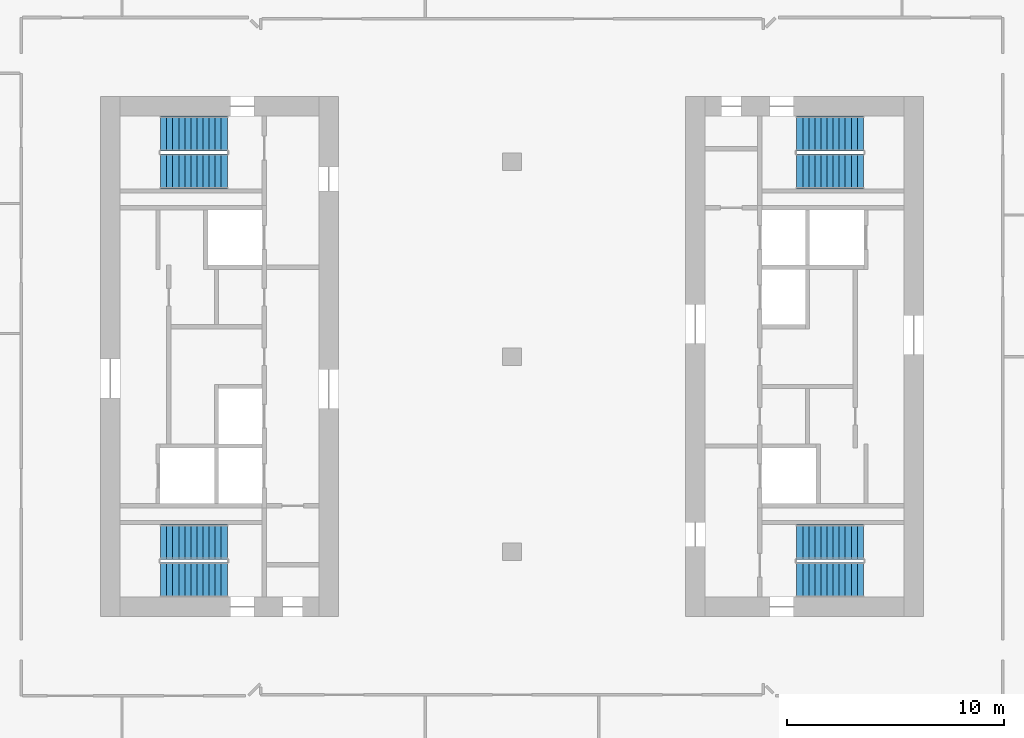
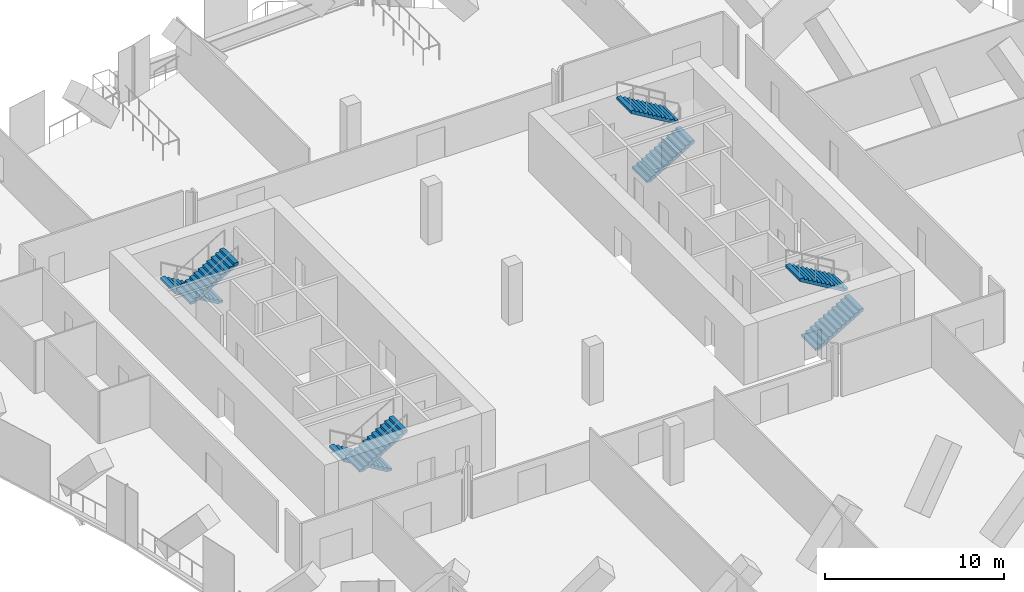
# One storey, part 21 of 26: 8 stair flights, 4 elements without a shape of their own.
"""IFC4 building model written with IfcOpenShell, lengths in metres."""

from ifc_helpers import new_model, si_unit, direction, frame, origin, place, context, subcontext, project, spatial, polyline, outline, extrude, material, type_object, element, aggregate, save


model = new_model("IFC4")

# Units and contexts
model_context = context("Model", 3, precision=1e-05, world=origin(), true_north=direction((0.0, 1.0)))
body_context = subcontext(model_context, "Body", "Model", "MODEL_VIEW")
ifc_project = project(units=[si_unit("LENGTHUNIT", "METRE"), si_unit("AREAUNIT", "SQUARE_METRE"), si_unit("VOLUMEUNIT", "CUBIC_METRE"), si_unit("PLANEANGLEUNIT", "RADIAN"), si_unit("MASSUNIT", "GRAM", prefix="KILO")], contexts=[model_context])

# Site, building, storey
site_placement = place(None, origin())
site = spatial("IfcSite", under=ifc_project, at=site_placement, CompositionType="ELEMENT")
building_placement = place(site_placement, origin())
building = spatial("IfcBuilding", under=site, at=building_placement, Name="Orlundy Tower", CompositionType="ELEMENT")
storey_placement = place(building_placement, frame((0.0, 0.0, 249.5)))
storey = spatial("IfcBuildingStorey", under=building, at=storey_placement, Name="L66", CompositionType="ELEMENT", Elevation=249.5)

# Stair, stair flights
ifc_material_1 = material(Name="Concrete C50/60", Category="concrete")
stair_type = type_object("IfcStairType", Name="Exit Stair 24 risers", PredefinedType="HALF_TURN_STAIR", material=ifc_material_1)
stair_1_placement = place(storey_placement, origin())
stair_1 = element("IfcStair", 1, at=stair_1_placement, inside=storey, type_object=stair_type, Name="L66 Exit Stair ST-W1", PredefinedType="HALF_TURN_STAIR")
ifc_material_2 = material(Name="Concrete C50/60", Category="concrete")
stair_flight_type = type_object("IfcStairFlightType", Name="Stair Flight 12 risers", PredefinedType="STRAIGHT", material=ifc_material_2)
stair_flight_1_placement = place(storey_placement, frame((-13.139892578125, 10.300048828125, 0.0), z_axis=(0.0, 0.0, 1.0), x_axis=(-1.0, 0.0, 0.0)))
stair_flight_1 = element("IfcStairFlight", 2, at=stair_flight_1_placement, type_object=stair_flight_type, Name="ST-W1 flight 1", NumberOfRisers=12, NumberOfTreads=11, PredefinedType="STRAIGHT", RiserHeight=0.166666667, TreadLength=0.28, context=body_context, shape_type="SweptSolid", body=[
    extrude(outline(polyline([(0.0, 0.0), (0.0, 0.166748046875), (0.280029296875, 0.166748046875), (0.280029296875, 0.333251953125), (0.56005859375, 0.333251953125), (0.56005859375, 0.5), (0.840087890625, 0.5), (0.840087890625, 0.666748046875), (1.1201171875, 0.666748046875), (1.1201171875, 0.833251953125), (1.39990234375, 0.833251953125), (1.39990234375, 1.0), (1.679931640625, 1.0), (1.679931640625, 1.166748046875), (1.9599609375, 1.166748046875), (1.9599609375, 1.333251953125), (2.239990234375, 1.333251953125), (2.239990234375, 1.5), (2.52001953125, 1.5), (2.52001953125, 1.666748046875), (2.800048828125, 1.666748046875), (2.800048828125, 1.833251953125), (3.080078125, 1.833251953125), (3.080078125, 2.0), (3.080078125, 1.658935546875), (0.29296875, 0.0), (0.0, 0.0)])), frame((0.0, 0.800048828125, 0.0), z_axis=(0.0, -1.0, 0.0), x_axis=(1.0, 0.0, 0.0)), (0.0, 0.0, 1.0), 1.60009765625),
])
stair_flight_2_placement = place(storey_placement, frame((-16.219970703125, 8.550048828125, 2.0), z_axis=(0.0, 0.0, 1.0), x_axis=(1.0, 0.0, 0.0)))
stair_flight_2 = element("IfcStairFlight", 3, at=stair_flight_2_placement, type_object=stair_flight_type, Name="ST-W1 flight 2", NumberOfRisers=12, NumberOfTreads=11, PredefinedType="STRAIGHT", RiserHeight=0.166666667, TreadLength=0.28, context=body_context, shape_type="SweptSolid", body=[
    extrude(outline(polyline([(0.0, 0.0), (0.0, 0.166748046875), (0.280029296875, 0.166748046875), (0.280029296875, 0.333251953125), (0.56005859375, 0.333251953125), (0.56005859375, 0.5), (0.840087890625, 0.5), (0.840087890625, 0.666748046875), (1.1201171875, 0.666748046875), (1.1201171875, 0.833251953125), (1.39990234375, 0.833251953125), (1.39990234375, 1.0), (1.679931640625, 1.0), (1.679931640625, 1.166748046875), (1.9599609375, 1.166748046875), (1.9599609375, 1.333251953125), (2.239990234375, 1.333251953125), (2.239990234375, 1.5), (2.52001953125, 1.5), (2.52001953125, 1.666748046875), (2.800048828125, 1.666748046875), (2.800048828125, 1.833251953125), (3.080078125, 1.833251953125), (3.080078125, 2.0), (3.080078125, 1.658935546875), (0.29296875, 0.0), (0.0, 0.0)])), frame((0.0, 0.800048828125, 0.0), z_axis=(0.0, -1.0, 0.0), x_axis=(1.0, 0.0, 0.0)), (0.0, 0.0, 1.0), 1.60009765625),
])
aggregate(stair_1, [stair_flight_1, stair_flight_2])

stair_2_placement = place(storey_placement, origin())
stair_2 = element("IfcStair", 4, at=stair_2_placement, inside=storey, type_object=stair_type, Name="L66 Exit Stair ST-W2", PredefinedType="HALF_TURN_STAIR")
stair_flight_3_placement = place(storey_placement, frame((-13.139892578125, -8.550048828125, 0.0), z_axis=(0.0, 0.0, 1.0), x_axis=(-1.0, 0.0, 0.0)))
stair_flight_3 = element("IfcStairFlight", 5, at=stair_flight_3_placement, type_object=stair_flight_type, Name="ST-W2 flight 1", NumberOfRisers=12, NumberOfTreads=11, PredefinedType="STRAIGHT", RiserHeight=0.166666667, TreadLength=0.28, context=body_context, shape_type="SweptSolid", body=[
    extrude(outline(polyline([(0.0, 0.0), (0.0, 0.166748046875), (0.280029296875, 0.166748046875), (0.280029296875, 0.333251953125), (0.56005859375, 0.333251953125), (0.56005859375, 0.5), (0.840087890625, 0.5), (0.840087890625, 0.666748046875), (1.1201171875, 0.666748046875), (1.1201171875, 0.833251953125), (1.39990234375, 0.833251953125), (1.39990234375, 1.0), (1.679931640625, 1.0), (1.679931640625, 1.166748046875), (1.9599609375, 1.166748046875), (1.9599609375, 1.333251953125), (2.239990234375, 1.333251953125), (2.239990234375, 1.5), (2.52001953125, 1.5), (2.52001953125, 1.666748046875), (2.800048828125, 1.666748046875), (2.800048828125, 1.833251953125), (3.080078125, 1.833251953125), (3.080078125, 2.0), (3.080078125, 1.658935546875), (0.29296875, 0.0), (0.0, 0.0)])), frame((0.0, 0.800048828125, 0.0), z_axis=(0.0, -1.0, 0.0), x_axis=(1.0, 0.0, 0.0)), (0.0, 0.0, 1.0), 1.60009765625),
])
stair_flight_4_placement = place(storey_placement, frame((-16.219970703125, -10.300048828125, 2.0), z_axis=(0.0, 0.0, 1.0), x_axis=(1.0, 0.0, 0.0)))
stair_flight_4 = element("IfcStairFlight", 6, at=stair_flight_4_placement, type_object=stair_flight_type, Name="ST-W2 flight 2", NumberOfRisers=12, NumberOfTreads=11, PredefinedType="STRAIGHT", RiserHeight=0.166666667, TreadLength=0.28, context=body_context, shape_type="SweptSolid", body=[
    extrude(outline(polyline([(0.0, 0.0), (0.0, 0.166748046875), (0.280029296875, 0.166748046875), (0.280029296875, 0.333251953125), (0.56005859375, 0.333251953125), (0.56005859375, 0.5), (0.840087890625, 0.5), (0.840087890625, 0.666748046875), (1.1201171875, 0.666748046875), (1.1201171875, 0.833251953125), (1.39990234375, 0.833251953125), (1.39990234375, 1.0), (1.679931640625, 1.0), (1.679931640625, 1.166748046875), (1.9599609375, 1.166748046875), (1.9599609375, 1.333251953125), (2.239990234375, 1.333251953125), (2.239990234375, 1.5), (2.52001953125, 1.5), (2.52001953125, 1.666748046875), (2.800048828125, 1.666748046875), (2.800048828125, 1.833251953125), (3.080078125, 1.833251953125), (3.080078125, 2.0), (3.080078125, 1.658935546875), (0.29296875, 0.0), (0.0, 0.0)])), frame((0.0, 0.800048828125, 0.0), z_axis=(0.0, -1.0, 0.0), x_axis=(1.0, 0.0, 0.0)), (0.0, 0.0, 1.0), 1.60009765625),
])
aggregate(stair_2, [stair_flight_3, stair_flight_4])

stair_3_placement = place(storey_placement, origin())
stair_3 = element("IfcStair", 7, at=stair_3_placement, inside=storey, type_object=stair_type, Name="L66 Exit Stair ST-E1", PredefinedType="HALF_TURN_STAIR")
stair_flight_5_placement = place(storey_placement, frame((13.139892578125, -10.300048828125, 0.0), z_axis=(0.0, 0.0, 1.0), x_axis=(1.0, 0.0, 0.0)))
stair_flight_5 = element("IfcStairFlight", 8, at=stair_flight_5_placement, type_object=stair_flight_type, Name="ST-E1 flight 1", NumberOfRisers=12, NumberOfTreads=11, PredefinedType="STRAIGHT", RiserHeight=0.166666667, TreadLength=0.28, context=body_context, shape_type="SweptSolid", body=[
    extrude(outline(polyline([(0.0, 0.0), (0.0, 0.166748046875), (0.280029296875, 0.166748046875), (0.280029296875, 0.333251953125), (0.56005859375, 0.333251953125), (0.56005859375, 0.5), (0.840087890625, 0.5), (0.840087890625, 0.666748046875), (1.1201171875, 0.666748046875), (1.1201171875, 0.833251953125), (1.39990234375, 0.833251953125), (1.39990234375, 1.0), (1.679931640625, 1.0), (1.679931640625, 1.166748046875), (1.9599609375, 1.166748046875), (1.9599609375, 1.333251953125), (2.239990234375, 1.333251953125), (2.239990234375, 1.5), (2.52001953125, 1.5), (2.52001953125, 1.666748046875), (2.800048828125, 1.666748046875), (2.800048828125, 1.833251953125), (3.080078125, 1.833251953125), (3.080078125, 2.0), (3.080078125, 1.658935546875), (0.29296875, 0.0), (0.0, 0.0)])), frame((0.0, 0.800048828125, 0.0), z_axis=(0.0, -1.0, 0.0), x_axis=(1.0, 0.0, 0.0)), (0.0, 0.0, 1.0), 1.60009765625),
])
stair_flight_6_placement = place(storey_placement, frame((16.219970703125, -8.550048828125, 2.0), z_axis=(0.0, 0.0, 1.0), x_axis=(-1.0, 0.0, 0.0)))
stair_flight_6 = element("IfcStairFlight", 9, at=stair_flight_6_placement, type_object=stair_flight_type, Name="ST-E1 flight 2", NumberOfRisers=12, NumberOfTreads=11, PredefinedType="STRAIGHT", RiserHeight=0.166666667, TreadLength=0.28, context=body_context, shape_type="SweptSolid", body=[
    extrude(outline(polyline([(0.0, 0.0), (0.0, 0.166748046875), (0.280029296875, 0.166748046875), (0.280029296875, 0.333251953125), (0.56005859375, 0.333251953125), (0.56005859375, 0.5), (0.840087890625, 0.5), (0.840087890625, 0.666748046875), (1.1201171875, 0.666748046875), (1.1201171875, 0.833251953125), (1.39990234375, 0.833251953125), (1.39990234375, 1.0), (1.679931640625, 1.0), (1.679931640625, 1.166748046875), (1.9599609375, 1.166748046875), (1.9599609375, 1.333251953125), (2.239990234375, 1.333251953125), (2.239990234375, 1.5), (2.52001953125, 1.5), (2.52001953125, 1.666748046875), (2.800048828125, 1.666748046875), (2.800048828125, 1.833251953125), (3.080078125, 1.833251953125), (3.080078125, 2.0), (3.080078125, 1.658935546875), (0.29296875, 0.0), (0.0, 0.0)])), frame((0.0, 0.800048828125, 0.0), z_axis=(0.0, -1.0, 0.0), x_axis=(1.0, 0.0, 0.0)), (0.0, 0.0, 1.0), 1.60009765625),
])
aggregate(stair_3, [stair_flight_5, stair_flight_6])

stair_4_placement = place(storey_placement, origin())
stair_4 = element("IfcStair", 10, at=stair_4_placement, inside=storey, type_object=stair_type, Name="L66 Exit Stair ST-E2", PredefinedType="HALF_TURN_STAIR")
stair_flight_7_placement = place(storey_placement, frame((13.139892578125, 8.550048828125, 0.0), z_axis=(0.0, 0.0, 1.0), x_axis=(1.0, 0.0, 0.0)))
stair_flight_7 = element("IfcStairFlight", 11, at=stair_flight_7_placement, type_object=stair_flight_type, Name="ST-E2 flight 1", NumberOfRisers=12, NumberOfTreads=11, PredefinedType="STRAIGHT", RiserHeight=0.166666667, TreadLength=0.28, context=body_context, shape_type="SweptSolid", body=[
    extrude(outline(polyline([(0.0, 0.0), (0.0, 0.166748046875), (0.280029296875, 0.166748046875), (0.280029296875, 0.333251953125), (0.56005859375, 0.333251953125), (0.56005859375, 0.5), (0.840087890625, 0.5), (0.840087890625, 0.666748046875), (1.1201171875, 0.666748046875), (1.1201171875, 0.833251953125), (1.39990234375, 0.833251953125), (1.39990234375, 1.0), (1.679931640625, 1.0), (1.679931640625, 1.166748046875), (1.9599609375, 1.166748046875), (1.9599609375, 1.333251953125), (2.239990234375, 1.333251953125), (2.239990234375, 1.5), (2.52001953125, 1.5), (2.52001953125, 1.666748046875), (2.800048828125, 1.666748046875), (2.800048828125, 1.833251953125), (3.080078125, 1.833251953125), (3.080078125, 2.0), (3.080078125, 1.658935546875), (0.29296875, 0.0), (0.0, 0.0)])), frame((0.0, 0.800048828125, 0.0), z_axis=(0.0, -1.0, 0.0), x_axis=(1.0, 0.0, 0.0)), (0.0, 0.0, 1.0), 1.60009765625),
])
stair_flight_8_placement = place(storey_placement, frame((16.219970703125, 10.300048828125, 2.0), z_axis=(0.0, 0.0, 1.0), x_axis=(-1.0, 0.0, 0.0)))
stair_flight_8 = element("IfcStairFlight", 12, at=stair_flight_8_placement, type_object=stair_flight_type, Name="ST-E2 flight 2", NumberOfRisers=12, NumberOfTreads=11, PredefinedType="STRAIGHT", RiserHeight=0.166666667, TreadLength=0.28, context=body_context, shape_type="SweptSolid", body=[
    extrude(outline(polyline([(0.0, 0.0), (0.0, 0.166748046875), (0.280029296875, 0.166748046875), (0.280029296875, 0.333251953125), (0.56005859375, 0.333251953125), (0.56005859375, 0.5), (0.840087890625, 0.5), (0.840087890625, 0.666748046875), (1.1201171875, 0.666748046875), (1.1201171875, 0.833251953125), (1.39990234375, 0.833251953125), (1.39990234375, 1.0), (1.679931640625, 1.0), (1.679931640625, 1.166748046875), (1.9599609375, 1.166748046875), (1.9599609375, 1.333251953125), (2.239990234375, 1.333251953125), (2.239990234375, 1.5), (2.52001953125, 1.5), (2.52001953125, 1.666748046875), (2.800048828125, 1.666748046875), (2.800048828125, 1.833251953125), (3.080078125, 1.833251953125), (3.080078125, 2.0), (3.080078125, 1.658935546875), (0.29296875, 0.0), (0.0, 0.0)])), frame((0.0, 0.800048828125, 0.0), z_axis=(0.0, -1.0, 0.0), x_axis=(1.0, 0.0, 0.0)), (0.0, 0.0, 1.0), 1.60009765625),
])
aggregate(stair_4, [stair_flight_7, stair_flight_8])

save(model, "model.ifc")
